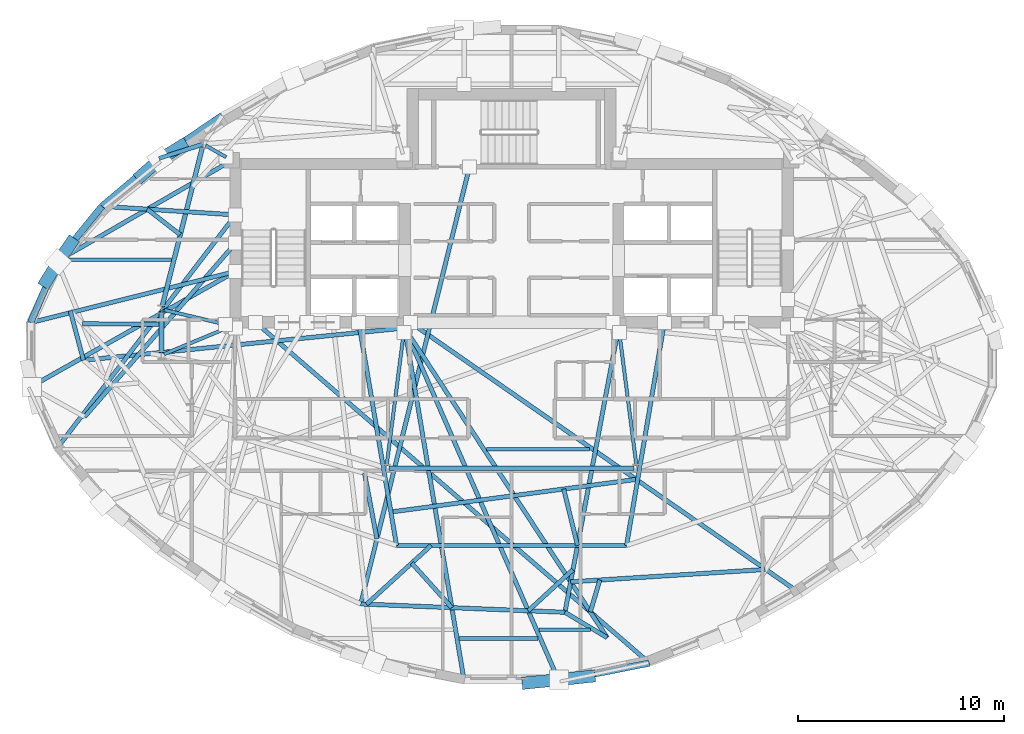
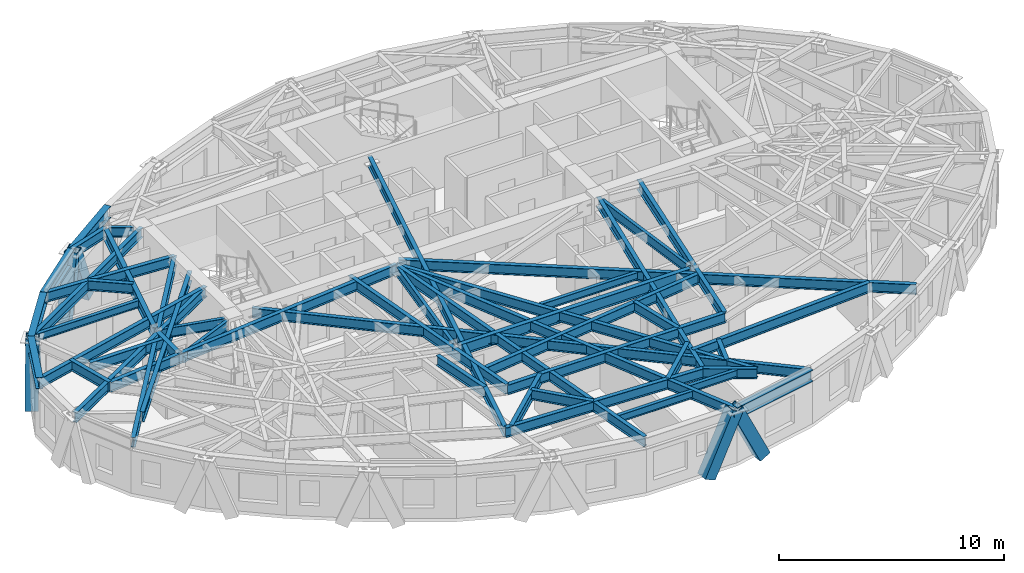
# One storey, part 2 of 14: 48 beams, 6 members.
"""IFC4 building model written with IfcOpenShell, lengths in metres."""

from ifc_helpers import new_model, si_unit, direction, frame, origin, origin_2d, place, context, subcontext, project, spatial, hollow_rectangle, i_section, extrude, material, material_profile, profile_set, type_object, element, save


model = new_model("IFC4")

# Units and contexts
model_context = context("Model", 3, precision=1e-05, world=origin(), true_north=direction((0.0, 1.0)))
body_context = subcontext(model_context, "Body", "Model", "MODEL_VIEW")
ifc_project = project(units=[si_unit("LENGTHUNIT", "METRE"), si_unit("AREAUNIT", "SQUARE_METRE"), si_unit("VOLUMEUNIT", "CUBIC_METRE"), si_unit("PLANEANGLEUNIT", "RADIAN"), si_unit("MASSUNIT", "GRAM", prefix="KILO")], contexts=[model_context])

# Site, building, storey
site_placement = place(None, origin())
site = spatial("IfcSite", under=ifc_project, at=site_placement, CompositionType="ELEMENT")
building_placement = place(site_placement, origin())
building = spatial("IfcBuilding", under=site, at=building_placement, Name="Keldmark Tower", CompositionType="ELEMENT")
storey_placement = place(building_placement, frame((0.0, 0.0, 213.14990234375)))
storey = spatial("IfcBuildingStorey", under=building, at=storey_placement, Name="L59", CompositionType="ELEMENT", Elevation=213.14990234375)

# Beams
ifc_material_1 = material(Name="Steel ASTM A992 Grade 50", Category="steel")
ifc_material_profile_1 = material_profile(ifc_material_1, i_section(OverallWidth=0.177978515625, OverallDepth=0.403076171875, WebThickness=0.007568359375, FlangeThickness=0.010986328125, at=origin_2d()), Name="W16X36")
ifc_profile_set_1 = profile_set([ifc_material_profile_1], Name="Steel ASTM A992 Grade 50")
beam_type_1 = type_object("IfcBeamType", Name="Composite Floor Joist W16X36", PredefinedType="JOIST", material=ifc_profile_set_1)
beam_1_placement = place(storey_placement, frame((-2.553466796875, -13.800048828125, 2.7685546875), z_axis=(1.0, 0.0, 0.0), x_axis=(0.0, 1.0, 0.0)))
element("IfcBeam", 1, at=beam_1_placement, inside=storey, type_object=beam_type_1, Name="L59 Composite Floor Joist J03", PredefinedType="JOIST", context=body_context, shape_type="SweptSolid", body=[
    extrude(i_section(OverallWidth=0.177978515625, OverallDepth=0.403076171875, WebThickness=0.007568359375, FlangeThickness=0.010986328125, at=origin_2d()), origin(), (0.0, 0.0, 1.0), 3.850830078125),
])
beam_2_placement = place(storey_placement, frame((1.32421875, -13.3798828125, 2.7685546875), z_axis=(1.0, 0.0, 0.0), x_axis=(0.0, 1.0, 0.0)))
element("IfcBeam", 2, at=beam_2_placement, inside=storey, type_object=beam_type_1, Name="L59 Composite Floor Joist J04", PredefinedType="JOIST", context=body_context, shape_type="SweptSolid", body=[
    extrude(i_section(OverallWidth=0.177978515625, OverallDepth=0.403076171875, WebThickness=0.007568359375, FlangeThickness=0.010986328125, at=origin_2d()), origin(), (0.0, 0.0, 1.0), 2.5068359375),
])
beam_3_placement = place(storey_placement, frame((-1.224609375, -4.60009765625, 2.7685546875), z_axis=(1.0, 0.0, 0.0), x_axis=(0.0, 1.0, 0.0)))
element("IfcBeam", 3, at=beam_3_placement, inside=storey, type_object=beam_type_1, Name="L59 Composite Floor Joist J06", PredefinedType="JOIST", context=body_context, shape_type="SweptSolid", body=[
    extrude(i_section(OverallWidth=0.177978515625, OverallDepth=0.403076171875, WebThickness=0.007568359375, FlangeThickness=0.010986328125, at=origin_2d()), origin(), (0.0, 0.0, 1.0), 5.011474609375),
])
beam_4_placement = place(storey_placement, frame((-21.77783203125, 4.6201171875, 2.7685546875), z_axis=(1.0, 0.0, 0.0), x_axis=(0.0, 1.0, 0.0)))
element("IfcBeam", 4, at=beam_4_placement, inside=storey, type_object=beam_type_1, Name="L59 Composite Floor Joist J07", PredefinedType="JOIST", context=body_context, shape_type="SweptSolid", body=[
    extrude(i_section(OverallWidth=0.177978515625, OverallDepth=0.403076171875, WebThickness=0.007568359375, FlangeThickness=0.010986328125, at=origin_2d()), origin(), (0.0, 0.0, 1.0), 5.2529296875),
])

# Members
ifc_material_2 = material(Name="Steel ASTM A572 Grade 50", Category="steel")
ifc_material_profile_2 = material_profile(ifc_material_2, hollow_rectangle(XDim=0.60009765625, YDim=0.60009765625, WallThickness=0.034912109375, at=origin_2d()), Name="BOX600X600X35")
ifc_profile_set_2 = profile_set([ifc_material_profile_2], Name="Steel ASTM A572 Grade 50")
member_type = type_object("IfcMemberType", Name="Diagrid Zone 4 Brace BOX600X600X35", PredefinedType="BRACE", material=ifc_profile_set_2)
member_1_placement = place(storey_placement, frame((-16.036376953125, 10.162841796875, -0.260009765625), z_axis=(-0.319678320867, -0.198062358981, 0.926594341189), x_axis=(0.526674190913, -0.850067230651, 0.0)))
element("IfcMember", 5, at=member_1_placement, inside=storey, type_object=member_type, Name="L59 Perimeter Diagrid Brace 06B", PredefinedType="BRACE", context=body_context, shape_type="SweptSolid", body=[
    extrude(hollow_rectangle(XDim=0.60009765625, YDim=0.60009765625, WallThickness=0.034912109375, at=origin_2d()), origin(), (0.0, 0.0, 1.0), 3.3564453125),
])
member_2_placement = place(storey_placement, frame((-17.9970703125, 8.71533203125, -0.260009765625), z_axis=(0.268917788638, 0.23740970986, 0.933445152442), x_axis=(-0.66182429005, 0.749658995211, 0.0)))
element("IfcMember", 6, at=member_2_placement, inside=storey, type_object=member_type, Name="L59 Perimeter Diagrid Brace 07A", PredefinedType="BRACE", context=body_context, shape_type="SweptSolid", body=[
    extrude(hollow_rectangle(XDim=0.60009765625, YDim=0.60009765625, WallThickness=0.034912109375, at=origin_2d()), origin(), (0.0, 0.0, 1.0), 3.331787109375),
])
member_3_placement = place(storey_placement, frame((-21.414794921875, 5.430419921875, -0.260009765625), z_axis=(-0.19192067154, -0.276052306444, 0.941786377021), x_axis=(0.821066514519, -0.570832531251, 0.0)))
element("IfcMember", 7, at=member_3_placement, inside=storey, type_object=member_type, Name="L59 Perimeter Diagrid Brace 07B", PredefinedType="BRACE", context=body_context, shape_type="SweptSolid", body=[
    extrude(hollow_rectangle(XDim=0.60009765625, YDim=0.60009765625, WallThickness=0.034912109375, at=origin_2d()), origin(), (0.0, 0.0, 1.0), 3.30224609375),
])
member_4_placement = place(storey_placement, frame((-22.634033203125, 3.557861328125, -0.260009765625), z_axis=(0.178125596536, 0.293509105881, 0.939214393322), x_axis=(-0.854886164817, 0.518815617734, 0.0)))
element("IfcMember", 8, at=member_4_placement, inside=storey, type_object=member_type, Name="L59 Perimeter Diagrid Brace 08A", PredefinedType="BRACE", context=body_context, shape_type="SweptSolid", body=[
    extrude(hollow_rectangle(XDim=0.60009765625, YDim=0.60009765625, WallThickness=0.034912109375, at=origin_2d()), origin(), (0.0, 0.0, 1.0), 3.311279296875),
])
member_5_placement = place(storey_placement, frame((0.781005859375, -15.952880859375, -0.260009765625), z_axis=(0.440546308577, 0.044061669463, 0.896647934968), x_axis=(-0.099519459283, 0.995035616058, 0.0)))
element("IfcMember", 9, at=member_5_placement, inside=storey, type_object=member_type, Name="L59 Perimeter Diagrid Brace 12B", PredefinedType="BRACE", context=body_context, shape_type="SweptSolid", body=[
    extrude(hollow_rectangle(XDim=0.60009765625, YDim=0.60009765625, WallThickness=0.034912109375, at=origin_2d()), origin(), (0.0, 0.0, 1.0), 3.468505859375),
])
member_6_placement = place(storey_placement, frame((3.79248046875, -15.641845703125, -0.260009765625), z_axis=(-0.43286743353, -0.045795607662, 0.900293589508), x_axis=(0.105208767654, -0.994450157227, 0.0)))
element("IfcMember", 10, at=member_6_placement, inside=storey, type_object=member_type, Name="L59 Perimeter Diagrid Brace 13A", PredefinedType="BRACE", context=body_context, shape_type="SweptSolid", body=[
    extrude(hollow_rectangle(XDim=0.60009765625, YDim=0.60009765625, WallThickness=0.034912109375, at=origin_2d()), origin(), (0.0, 0.0, 1.0), 3.45458984375),
])

# Beams
ifc_material_3 = material(Name="Steel ASTM A992 Grade 50", Category="steel")
ifc_material_profile_3 = material_profile(ifc_material_3, i_section(OverallWidth=0.22802734375, OverallDepth=0.60302734375, WebThickness=0.010498046875, FlangeThickness=0.014892578125, at=origin_2d()), Name="W24X68")
ifc_profile_set_3 = profile_set([ifc_material_profile_3], Name="Steel ASTM A992 Grade 50")
beam_type_2 = type_object("IfcBeamType", Name="Primary Floor Girder W24X68", PredefinedType="BEAM", material=ifc_profile_set_3)
beam_5_placement = place(storey_placement, frame((-15.030029296875, 10.10791015625, 2.668701171875), z_axis=(-0.244902129455, -0.969547805417, 0.0), x_axis=(0.969547805417, -0.244902129455, 0.0)))
element("IfcBeam", 11, at=beam_5_placement, inside=storey, type_object=beam_type_2, Name="L59 Floor Ring Girder FG-R05", PredefinedType="BEAM", context=body_context, shape_type="SweptSolid", body=[
    extrude(i_section(OverallWidth=0.22802734375, OverallDepth=0.60302734375, WebThickness=0.010498046875, FlangeThickness=0.014892578125, at=origin_2d()), origin(), (0.0, 0.0, 1.0), 8.008056640625),
])
beam_6_placement = place(storey_placement, frame((-17.025634765625, 2.068115234375, 2.668701171875), z_axis=(0.0, -1.0, 0.0), x_axis=(1.0, 0.0, 0.0)))
element("IfcBeam", 12, at=beam_6_placement, inside=storey, type_object=beam_type_2, Name="L59 Floor Ring Girder FG-R06", PredefinedType="BEAM", context=body_context, shape_type="SweptSolid", body=[
    extrude(i_section(OverallWidth=0.22802734375, OverallDepth=0.60302734375, WebThickness=0.010498046875, FlangeThickness=0.014892578125, at=origin_2d()), origin(), (0.0, 0.0, 1.0), 1.9521484375),
])
beam_7_placement = place(storey_placement, frame((-5.949462890625, -5.512939453125, 2.668701171875), z_axis=(1.0, 0.0, 0.0), x_axis=(0.0, 1.0, 0.0)))
element("IfcBeam", 13, at=beam_7_placement, inside=storey, type_object=beam_type_2, Name="L59 Floor Ring Girder FG-R09", PredefinedType="BEAM", context=body_context, shape_type="SweptSolid", body=[
    extrude(i_section(OverallWidth=0.22802734375, OverallDepth=0.60302734375, WebThickness=0.010498046875, FlangeThickness=0.014892578125, at=origin_2d()), origin(), (0.0, 0.0, 1.0), 11.89892578125),
])
ifc_material_4 = material(Name="Steel ASTM A992 Grade 50", Category="steel")
ifc_material_profile_4 = material_profile(ifc_material_4, i_section(OverallWidth=0.166015625, OverallDepth=0.529052734375, WebThickness=0.009765625, FlangeThickness=0.013671875, at=origin_2d()), Name="W21X50")
ifc_profile_set_4 = profile_set([ifc_material_profile_4], Name="Steel ASTM A992 Grade 50")
beam_type_3 = type_object("IfcBeamType", Name="Radial Tie Girder W21X50", PredefinedType="BEAM", material=ifc_profile_set_4)
beam_8_placement = place(storey_placement, frame((-14.8740234375, 10.174560546875, 2.70556640625), z_axis=(0.869238046195, -0.494393789451, 0.0), x_axis=(0.494393789451, 0.869238046195, 0.0)))
element("IfcBeam", 14, at=beam_8_placement, inside=storey, type_object=beam_type_3, Name="L59 Floor Radial Girder FG-C05", PredefinedType="BEAM", context=body_context, shape_type="SweptSolid", body=[
    extrude(i_section(OverallWidth=0.166015625, OverallDepth=0.529052734375, WebThickness=0.009765625, FlangeThickness=0.013671875, at=origin_2d()), origin(), (0.0, 0.0, 1.0), 1.145751953125),
])
beam_9_placement = place(storey_placement, frame((-16.889404296875, 2.17578125, 2.70556640625), z_axis=(0.97329039005, -0.229577474147, 0.0), x_axis=(0.229577474147, 0.97329039005, 0.0)))
element("IfcBeam", 15, at=beam_9_placement, inside=storey, type_object=beam_type_3, Name="L59 Floor Radial Girder FG-C06", PredefinedType="BEAM", context=body_context, shape_type="SweptSolid", body=[
    extrude(i_section(OverallWidth=0.166015625, OverallDepth=0.529052734375, WebThickness=0.009765625, FlangeThickness=0.013671875, at=origin_2d()), origin(), (0.0, 0.0, 1.0), 3.0595703125),
])
beam_10_placement = place(storey_placement, frame((-16.896240234375, 0.02978515625, 2.70556640625), z_axis=(0.923403331902, 0.383831065226, 0.0), x_axis=(-0.383831065226, 0.923403331902, 0.0)))
element("IfcBeam", 16, at=beam_10_placement, inside=storey, type_object=beam_type_3, Name="L59 Floor Radial Girder FG-C07", PredefinedType="BEAM", context=body_context, shape_type="SweptSolid", body=[
    extrude(i_section(OverallWidth=0.166015625, OverallDepth=0.529052734375, WebThickness=0.009765625, FlangeThickness=0.013671875, at=origin_2d()), origin(), (0.0, 0.0, 1.0), 3.249755859375),
])
for number, where, z_axis, x_axis, name in (
    (17, (-6.071533203125, -5.3740234375, 2.70556640625), (0.127625044513, 0.991822488157, 0.0), (-0.991822488157, 0.127625044513, 0.0), "L59 Floor Radial Girder FG-C09"),
    (18, (6.071533203125, -5.3740234375, 2.70556640625), (-0.127625044513, 0.991822488157, 0.0), (-0.991822488157, -0.127625044513, 0.0), "L59 Floor Radial Girder FG-C10"),
):
    element("IfcBeam", number, at=place(storey_placement, frame(where, z_axis=z_axis, x_axis=x_axis)), inside=storey, type_object=beam_type_3, Name=name, PredefinedType="BEAM", context=body_context, shape_type="SweptSolid", body=[
        extrude(i_section(OverallWidth=0.166015625, OverallDepth=0.529052734375, WebThickness=0.009765625, FlangeThickness=0.013671875, at=origin_2d()), origin(), (0.0, 0.0, 1.0), 6.509765625),
    ])
ifc_material_5 = material(Name="Steel ASTM A992 Grade 50", Category="steel")
ifc_material_profile_5 = material_profile(ifc_material_5, i_section(OverallWidth=0.2099609375, OverallDepth=0.537109375, WebThickness=0.010986328125, FlangeThickness=0.017333984375, at=origin_2d()), Name="W21X68")
ifc_profile_set_5 = profile_set([ifc_material_profile_5], Name="Steel ASTM A992 Grade 50")
beam_type_4 = type_object("IfcBeamType", Name="Radial Tie Girder W21X68", PredefinedType="BEAM", material=ifc_profile_set_5)
beam_11_placement = place(storey_placement, frame((-5.199951171875, 1.300048828125, 2.70166015625), z_axis=(-0.994997839302, -0.099896445306, 0.0), x_axis=(0.099896445306, -0.994997839302, 0.0)))
element("IfcBeam", 19, at=beam_11_placement, inside=storey, type_object=beam_type_4, Name="L59 Sub-Ring Step Girder STP1-M07", PredefinedType="BEAM", context=body_context, shape_type="SweptSolid", body=[
    extrude(i_section(OverallWidth=0.2099609375, OverallDepth=0.537109375, WebThickness=0.010986328125, FlangeThickness=0.017333984375, at=origin_2d()), origin(), (0.0, 0.0, 1.0), 15.695068359375),
])
beam_12_placement = place(storey_placement, frame((-7.43212890625, 1.574951171875, 2.70166015625), z_axis=(0.167387846975, -0.985891124154, 0.0), x_axis=(0.985891124154, 0.167387846975, 0.0)))
element("IfcBeam", 20, at=beam_12_placement, inside=storey, type_object=beam_type_4, Name="L59 Sub-Ring Step Girder STP1-M09", PredefinedType="BEAM", context=body_context, shape_type="SweptSolid", body=[
    extrude(i_section(OverallWidth=0.2099609375, OverallDepth=0.537109375, WebThickness=0.010986328125, FlangeThickness=0.017333984375, at=origin_2d()), origin(), (0.0, 0.0, 1.0), 11.004638671875),
])
beam_13_placement = place(storey_placement, frame((-5.866455078125, -7.64697265625, 2.70166015625), z_axis=(0.991266770725, 0.13187186681, 0.0), x_axis=(-0.13187186681, 0.991266770725, 0.0)))
element("IfcBeam", 21, at=beam_13_placement, inside=storey, type_object=beam_type_4, Name="L59 Framing Pin Header PH-004", PredefinedType="BEAM", context=body_context, shape_type="SweptSolid", body=[
    extrude(i_section(OverallWidth=0.2099609375, OverallDepth=0.537109375, WebThickness=0.010986328125, FlangeThickness=0.017333984375, at=origin_2d()), origin(), (0.0, 0.0, 1.0), 12.109619140625),
])
beam_14_placement = place(storey_placement, frame((7.43212890625, 1.574951171875, 2.70166015625), z_axis=(-0.167387846975, -0.985891124154, 0.0), x_axis=(0.985891124154, -0.167387846975, 0.0)))
element("IfcBeam", 22, at=beam_14_placement, inside=storey, type_object=beam_type_4, Name="L59 Sub-Ring Step Girder STP1-M10", PredefinedType="BEAM", context=body_context, shape_type="SweptSolid", body=[
    extrude(i_section(OverallWidth=0.2099609375, OverallDepth=0.537109375, WebThickness=0.010986328125, FlangeThickness=0.017333984375, at=origin_2d()), origin(), (0.0, 0.0, 1.0), 11.004638671875),
])
beam_15_placement = place(storey_placement, frame((-5.590087890625, -9.2744140625, 2.70166015625), z_axis=(1.0, 0.0, 0.0), x_axis=(0.0, 1.0, 0.0)))
element("IfcBeam", 23, at=beam_15_placement, inside=storey, type_object=beam_type_4, Name="L59 Perimeter Collector Ring Beam CRG1-M09", PredefinedType="BEAM", context=body_context, shape_type="SweptSolid", body=[
    extrude(i_section(OverallWidth=0.2099609375, OverallDepth=0.537109375, WebThickness=0.010986328125, FlangeThickness=0.017333984375, at=origin_2d()), origin(), (0.0, 0.0, 1.0), 11.18017578125),
])
beam_16_placement = place(storey_placement, frame((-7.148681640625, -5.763916015625, 2.70166015625), z_axis=(0.185722935277, -0.982602153118, 0.0), x_axis=(0.982602153118, 0.185722935277, 0.0)))
element("IfcBeam", 24, at=beam_16_placement, inside=storey, type_object=beam_type_4, Name="L59 Framing Pin Header PH-009", PredefinedType="BEAM", context=body_context, shape_type="SweptSolid", body=[
    extrude(i_section(OverallWidth=0.2099609375, OverallDepth=0.537109375, WebThickness=0.010986328125, FlangeThickness=0.017333984375, at=origin_2d()), origin(), (0.0, 0.0, 1.0), 3.246826171875),
])
beam_17_placement = place(storey_placement, frame((-2.04296875, 9.139892578125, 2.70166015625), z_axis=(-0.241483944794, -0.970404814707, 0.0), x_axis=(0.970404814707, -0.241483944794, 0.0)))
element("IfcBeam", 25, at=beam_17_placement, inside=storey, type_object=beam_type_4, Name="L59 Sub-Ring Step Girder STP2-M09", PredefinedType="BEAM", context=body_context, shape_type="SweptSolid", body=[
    extrude(i_section(OverallWidth=0.2099609375, OverallDepth=0.537109375, WebThickness=0.010986328125, FlangeThickness=0.017333984375, at=origin_2d()), origin(), (0.0, 0.0, 1.0), 21.906494140625),
])
beam_18_placement = place(storey_placement, frame((2.536376953125, -6.529052734375, 2.70166015625), z_axis=(0.237878707543, -0.971294867946, 0.0), x_axis=(0.971294867946, 0.237878707543, 0.0)))
element("IfcBeam", 26, at=beam_18_placement, inside=storey, type_object=beam_type_4, Name="L59 Framing Pin Header PH-010", PredefinedType="BEAM", context=body_context, shape_type="SweptSolid", body=[
    extrude(i_section(OverallWidth=0.2099609375, OverallDepth=0.537109375, WebThickness=0.010986328125, FlangeThickness=0.017333984375, at=origin_2d()), origin(), (0.0, 0.0, 1.0), 2.826416015625),
])
beam_19_placement = place(storey_placement, frame((5.199951171875, 1.300048828125, 2.70166015625), z_axis=(-0.185056552918, -0.982727872924, 0.0), x_axis=(0.982727872924, -0.185056552918, 0.0)))
element("IfcBeam", 27, at=beam_19_placement, inside=storey, type_object=beam_type_4, Name="L59 Sub-Ring Step Girder STP2-M10", PredefinedType="BEAM", context=body_context, shape_type="SweptSolid", body=[
    extrude(i_section(OverallWidth=0.2099609375, OverallDepth=0.537109375, WebThickness=0.010986328125, FlangeThickness=0.017333984375, at=origin_2d()), origin(), (0.0, 0.0, 1.0), 14.0673828125),
])
beam_20_placement = place(storey_placement, frame((-7.3330078125, -12.1181640625, 2.70166015625), z_axis=(0.999164126029, -0.040878469358, 0.0), x_axis=(0.040878469358, 0.999164126029, 0.0)))
element("IfcBeam", 28, at=beam_20_placement, inside=storey, type_object=beam_type_4, Name="L59 Perimeter Collector Ring Beam CRG2-M09", PredefinedType="BEAM", context=body_context, shape_type="SweptSolid", body=[
    extrude(i_section(OverallWidth=0.2099609375, OverallDepth=0.537109375, WebThickness=0.010986328125, FlangeThickness=0.017333984375, at=origin_2d()), origin(), (0.0, 0.0, 1.0), 9.93798828125),
])
beam_21_placement = place(storey_placement, frame((-14.995849609375, 10.24365234375, 2.70166015625), z_axis=(-0.951041205771, -0.30906411135, 0.0), x_axis=(0.30906411135, -0.951041205771, 0.0)))
element("IfcBeam", 29, at=beam_21_placement, inside=storey, type_object=beam_type_4, Name="L59 Perimeter Column Bracket RT-13", PredefinedType="BEAM", context=body_context, shape_type="SweptSolid", body=[
    extrude(i_section(OverallWidth=0.2099609375, OverallDepth=0.537109375, WebThickness=0.010986328125, FlangeThickness=0.017333984375, at=origin_2d()), origin(), (0.0, 0.0, 1.0), 2.262451171875),
])
beam_22_placement = place(storey_placement, frame((-20.81640625, -0.267822265625, 2.70166015625), z_axis=(-0.257882183157, 0.966176370861, 0.0), x_axis=(-0.966176370861, -0.257882183157, 0.0)))
element("IfcBeam", 30, at=beam_22_placement, inside=storey, type_object=beam_type_4, Name="L59 Local Collector Chord RT-15C", PredefinedType="BEAM", context=body_context, shape_type="SweptSolid", body=[
    extrude(i_section(OverallWidth=0.2099609375, OverallDepth=0.537109375, WebThickness=0.010986328125, FlangeThickness=0.017333984375, at=origin_2d()), origin(), (0.0, 0.0, 1.0), 2.49169921875),
])
beam_23_placement = place(storey_placement, frame((-17.025634765625, 1.482421875, 2.70166015625), z_axis=(-0.999983902053, 0.005674119686, 0.0), x_axis=(-0.005674119686, -0.999983902053, 0.0)))
element("IfcBeam", 31, at=beam_23_placement, inside=storey, type_object=beam_type_4, Name="L59 Framing Pin Header PH-019", PredefinedType="BEAM", context=body_context, shape_type="SweptSolid", body=[
    extrude(i_section(OverallWidth=0.2099609375, OverallDepth=0.537109375, WebThickness=0.010986328125, FlangeThickness=0.017333984375, at=origin_2d()), origin(), (0.0, 0.0, 1.0), 3.829345703125),
])
beam_24_placement = place(storey_placement, frame((-13.425048828125, 4.050048828125, 2.70166015625), z_axis=(-0.970181660522, -0.24237892975, 0.0), x_axis=(0.24237892975, -0.970181660522, 0.0)))
element("IfcBeam", 32, at=beam_24_placement, inside=storey, type_object=beam_type_4, Name="L59 Perimeter Radial Tie Girder RT-16", PredefinedType="BEAM", context=body_context, shape_type="SweptSolid", body=[
    extrude(i_section(OverallWidth=0.2099609375, OverallDepth=0.537109375, WebThickness=0.010986328125, FlangeThickness=0.017333984375, at=origin_2d()), origin(), (0.0, 0.0, 1.0), 10.26513671875),
])
beam_25_placement = place(storey_placement, frame((-13.425048828125, 4.050048828125, 2.70166015625), z_axis=(-0.871196553934, -0.490934378929, 0.0), x_axis=(0.490934378929, -0.871196553934, 0.0)))
element("IfcBeam", 33, at=beam_25_placement, inside=storey, type_object=beam_type_4, Name="L59 Perimeter Radial Tie Girder RT-17", PredefinedType="BEAM", context=body_context, shape_type="SweptSolid", body=[
    extrude(i_section(OverallWidth=0.2099609375, OverallDepth=0.537109375, WebThickness=0.010986328125, FlangeThickness=0.017333984375, at=origin_2d()), origin(), (0.0, 0.0, 1.0), 11.431396484375),
])
beam_26_placement = place(storey_placement, frame((-13.425048828125, 5.425048828125, 2.70166015625), z_axis=(-0.655883090094, -0.754862485575, 0.0), x_axis=(0.754862485575, -0.655883090094, 0.0)))
element("IfcBeam", 34, at=beam_26_placement, inside=storey, type_object=beam_type_4, Name="L59 Intermediate Radial Step Girder RT-18M", PredefinedType="BEAM", context=body_context, shape_type="SweptSolid", body=[
    extrude(i_section(OverallWidth=0.2099609375, OverallDepth=0.537109375, WebThickness=0.010986328125, FlangeThickness=0.017333984375, at=origin_2d()), origin(), (0.0, 0.0, 1.0), 11.18603515625),
])
beam_27_placement = place(storey_placement, frame((-13.425048828125, 6.800048828125, 2.70166015625), z_axis=(-0.607417752477, -0.794382574063, 0.0), x_axis=(0.794382574063, -0.607417752477, 0.0)))
element("IfcBeam", 35, at=beam_27_placement, inside=storey, type_object=beam_type_4, Name="L59 Perimeter Radial Tie Girder RT-18", PredefinedType="BEAM", context=body_context, shape_type="SweptSolid", body=[
    extrude(i_section(OverallWidth=0.2099609375, OverallDepth=0.537109375, WebThickness=0.010986328125, FlangeThickness=0.017333984375, at=origin_2d()), origin(), (0.0, 0.0, 1.0), 14.2841796875),
])
beam_28_placement = place(storey_placement, frame((-3.9130859375, -9.2744140625, 2.70166015625), z_axis=(-0.739116053461, -0.673578102017, 0.0), x_axis=(0.673578102017, -0.739116053461, 0.0)))
element("IfcBeam", 36, at=beam_28_placement, inside=storey, type_object=beam_type_4, Name="L59 Framing Pin Header PH-025", PredefinedType="BEAM", context=body_context, shape_type="SweptSolid", body=[
    extrude(i_section(OverallWidth=0.2099609375, OverallDepth=0.537109375, WebThickness=0.010986328125, FlangeThickness=0.017333984375, at=origin_2d()), origin(), (0.0, 0.0, 1.0), 4.2392578125),
])
beam_29_placement = place(storey_placement, frame((-4.85302734375, -10.131103515625, 2.70166015625), z_axis=(0.66846025114, -0.743747869002, 0.0), x_axis=(0.743747869002, 0.66846025114, 0.0)))
element("IfcBeam", 37, at=beam_29_placement, inside=storey, type_object=beam_type_4, Name="L59 Framing Pin Header PH-026", PredefinedType="BEAM", context=body_context, shape_type="SweptSolid", body=[
    extrude(i_section(OverallWidth=0.2099609375, OverallDepth=0.537109375, WebThickness=0.010986328125, FlangeThickness=0.017333984375, at=origin_2d()), origin(), (0.0, 0.0, 1.0), 2.915283203125),
])
beam_30_placement = place(storey_placement, frame((-5.199951171875, 1.300048828125, 2.70166015625), z_axis=(0.166468859904, -0.986046712221, 0.0), x_axis=(0.986046712221, 0.166468859904, 0.0)))
element("IfcBeam", 38, at=beam_30_placement, inside=storey, type_object=beam_type_4, Name="L59 Perimeter Radial Tie Girder RT-24", PredefinedType="BEAM", context=body_context, shape_type="SweptSolid", body=[
    extrude(i_section(OverallWidth=0.2099609375, OverallDepth=0.537109375, WebThickness=0.010986328125, FlangeThickness=0.017333984375, at=origin_2d()), origin(), (0.0, 0.0, 1.0), 17.402587890625),
])
beam_31_placement = place(storey_placement, frame((2.9873046875, -10.45068359375, 2.70166015625), z_axis=(-0.735907957557, -0.677081588883, 0.0), x_axis=(0.677081588883, -0.735907957557, 0.0)))
element("IfcBeam", 39, at=beam_31_placement, inside=storey, type_object=beam_type_4, Name="L59 Framing Pin Header PH-027", PredefinedType="BEAM", context=body_context, shape_type="SweptSolid", body=[
    extrude(i_section(OverallWidth=0.2099609375, OverallDepth=0.537109375, WebThickness=0.010986328125, FlangeThickness=0.017333984375, at=origin_2d()), origin(), (0.0, 0.0, 1.0), 2.954833984375),
])
beam_32_placement = place(storey_placement, frame((-5.199951171875, 1.300048828125, 2.70166015625), z_axis=(0.400620507378, -0.916244077235, 0.0), x_axis=(0.916244077235, 0.400620507378, 0.0)))
element("IfcBeam", 40, at=beam_32_placement, inside=storey, type_object=beam_type_4, Name="L59 Perimeter Radial Tie Girder RT-25", PredefinedType="BEAM", context=body_context, shape_type="SweptSolid", body=[
    extrude(i_section(OverallWidth=0.2099609375, OverallDepth=0.537109375, WebThickness=0.010986328125, FlangeThickness=0.017333984375, at=origin_2d()), origin(), (0.0, 0.0, 1.0), 18.728271484375),
])
beam_33_placement = place(storey_placement, frame((12.334716796875, -10.443603515625, 2.70166015625), z_axis=(-0.997992081159, -0.063338818624, 0.0), x_axis=(0.063338818624, -0.997992081159, 0.0)))
element("IfcBeam", 41, at=beam_33_placement, inside=storey, type_object=beam_type_4, Name="L59 Framing Pin Header PH-028", PredefinedType="BEAM", context=body_context, shape_type="SweptSolid", body=[
    extrude(i_section(OverallWidth=0.2099609375, OverallDepth=0.537109375, WebThickness=0.010986328125, FlangeThickness=0.017333984375, at=origin_2d()), origin(), (0.0, 0.0, 1.0), 9.478271484375),
])
beam_34_placement = place(storey_placement, frame((-5.199951171875, 1.300048828125, 2.70166015625), z_axis=(0.54745553407, -0.836834773546, 0.0), x_axis=(0.836834773546, 0.54745553407, 0.0)))
element("IfcBeam", 42, at=beam_34_placement, inside=storey, type_object=beam_type_4, Name="L59 Intermediate Radial Step Girder RT-26M", PredefinedType="BEAM", context=body_context, shape_type="SweptSolid", body=[
    extrude(i_section(OverallWidth=0.2099609375, OverallDepth=0.537109375, WebThickness=0.010986328125, FlangeThickness=0.017333984375, at=origin_2d()), origin(), (0.0, 0.0, 1.0), 17.992919921875),
])
beam_35_placement = place(storey_placement, frame((2.5966796875, -12.5244140625, 2.70166015625), z_axis=(0.857411972878, -0.514630652765, 0.0), x_axis=(0.514630652765, 0.857411972878, 0.0)))
element("IfcBeam", 43, at=beam_35_placement, inside=storey, type_object=beam_type_4, Name="L59 Local Collector Chord RT-26C", PredefinedType="BEAM", context=body_context, shape_type="SweptSolid", body=[
    extrude(i_section(OverallWidth=0.2099609375, OverallDepth=0.537109375, WebThickness=0.010986328125, FlangeThickness=0.017333984375, at=origin_2d()), origin(), (0.0, 0.0, 1.0), 2.395263671875),
])
beam_36_placement = place(storey_placement, frame((4.29443359375, -10.953857421875, 2.70166015625), z_axis=(-0.286295977808, -0.958141228155, 0.0), x_axis=(0.958141228155, -0.286295977808, 0.0)))
element("IfcBeam", 44, at=beam_36_placement, inside=storey, type_object=beam_type_4, Name="L59 Framing Pin Header PH-029", PredefinedType="BEAM", context=body_context, shape_type="SweptSolid", body=[
    extrude(i_section(OverallWidth=0.2099609375, OverallDepth=0.537109375, WebThickness=0.010986328125, FlangeThickness=0.017333984375, at=origin_2d()), origin(), (0.0, 0.0, 1.0), 1.61865234375),
])
beam_37_placement = place(storey_placement, frame((-12.4462890625, 1.574951171875, 2.70166015625), z_axis=(0.756319590876, -0.654202320737, 0.0), x_axis=(0.654202320737, 0.756319590876, 0.0)))
element("IfcBeam", 45, at=beam_37_placement, inside=storey, type_object=beam_type_4, Name="L59 Perimeter Radial Tie Girder RT-26", PredefinedType="BEAM", context=body_context, shape_type="SweptSolid", body=[
    extrude(i_section(OverallWidth=0.2099609375, OverallDepth=0.537109375, WebThickness=0.010986328125, FlangeThickness=0.017333984375, at=origin_2d()), origin(), (0.0, 0.0, 1.0), 25.32080078125),
])
beam_38_placement = place(storey_placement, frame((-4.925048828125, 1.574951171875, 2.70166015625), z_axis=(0.821125168667, -0.570748155829, 0.0), x_axis=(0.570748155829, 0.821125168667, 0.0)))
element("IfcBeam", 46, at=beam_38_placement, inside=storey, type_object=beam_type_4, Name="L59 Perimeter Radial Tie Girder RT-28", PredefinedType="BEAM", context=body_context, shape_type="SweptSolid", body=[
    extrude(i_section(OverallWidth=0.2099609375, OverallDepth=0.537109375, WebThickness=0.010986328125, FlangeThickness=0.017333984375, at=origin_2d()), origin(), (0.0, 0.0, 1.0), 23.135986328125),
])
beam_39_placement = place(storey_placement, frame((-13.60009765625, 9.449951171875, 2.70166015625), z_axis=(-0.866267577437, -0.499580308141, 0.0), x_axis=(0.499580308141, -0.866267577437, 0.0)))
element("IfcBeam", 47, at=beam_39_placement, inside=storey, type_object=beam_type_4, Name="L59 Straddling Support Chord RT-14RB", PredefinedType="BEAM", context=body_context, shape_type="SweptSolid", body=[
    extrude(i_section(OverallWidth=0.2099609375, OverallDepth=0.537109375, WebThickness=0.010986328125, FlangeThickness=0.017333984375, at=origin_2d()), origin(), (0.0, 0.0, 1.0), 9.81396484375),
])
beam_40_placement = place(storey_placement, frame((-16.10888671875, 5.837646484375, 2.70166015625), z_axis=(-0.791247930799, 0.611495471779, 0.0), x_axis=(-0.611495471779, -0.791247930799, 0.0)))
element("IfcBeam", 48, at=beam_40_placement, inside=storey, type_object=beam_type_4, Name="L59 Framing Pin Header PH-035", PredefinedType="BEAM", context=body_context, shape_type="SweptSolid", body=[
    extrude(i_section(OverallWidth=0.2099609375, OverallDepth=0.537109375, WebThickness=0.010986328125, FlangeThickness=0.017333984375, at=origin_2d()), origin(), (0.0, 0.0, 1.0), 2.02783203125),
])
beam_41_placement = place(storey_placement, frame((-13.425048828125, 6.800048828125, 2.70166015625), z_axis=(-0.997909880866, 0.064620969271, 0.0), x_axis=(-0.064620969271, -0.997909880866, 0.0)))
element("IfcBeam", 49, at=beam_41_placement, inside=storey, type_object=beam_type_4, Name="L59 Perimeter Radial Tie Girder RT-14R", PredefinedType="BEAM", context=body_context, shape_type="SweptSolid", body=[
    extrude(i_section(OverallWidth=0.2099609375, OverallDepth=0.537109375, WebThickness=0.010986328125, FlangeThickness=0.017333984375, at=origin_2d()), origin(), (0.0, 0.0, 1.0), 6.505859375),
])
ifc_material_6 = material(Name="Steel ASTM A992 Grade 50", Category="steel")
ifc_material_profile_6 = material_profile(ifc_material_6, i_section(OverallWidth=0.326904296875, OverallDepth=0.6220703125, WebThickness=0.015380859375, FlangeThickness=0.0244140625, at=origin_2d()), Name="W24X131")
ifc_profile_set_6 = profile_set([ifc_material_profile_6], Name="Steel ASTM A992 Grade 50")
beam_type_5 = type_object("IfcBeamType", Name="Spandrel Ring Beam W24X131", PredefinedType="SPANDREL", material=ifc_profile_set_6)
beam_42_placement = place(storey_placement, frame((-14.072509765625, 11.6298828125, 2.6591796875), z_axis=(-0.827616407823, -0.56129411319, 0.0), x_axis=(0.56129411319, -0.827616407823, 0.0)))
element("IfcBeam", 50, at=beam_42_placement, inside=storey, type_object=beam_type_5, Name="L59 Perimeter Spandrel Ring Beam SRB-12", PredefinedType="SPANDREL", context=body_context, shape_type="SweptSolid", body=[
    extrude(i_section(OverallWidth=0.326904296875, OverallDepth=0.6220703125, WebThickness=0.015380859375, FlangeThickness=0.0244140625, at=origin_2d()), origin(), (0.0, 0.0, 1.0), 3.71533203125),
])
beam_43_placement = place(storey_placement, frame((-17.1474609375, 9.54443359375, 2.6591796875), z_axis=(-0.766063904081, -0.642764416302, 0.0), x_axis=(0.642764416302, -0.766063904081, 0.0)))
element("IfcBeam", 51, at=beam_43_placement, inside=storey, type_object=beam_type_5, Name="L59 Perimeter Spandrel Ring Beam SRB-13", PredefinedType="SPANDREL", context=body_context, shape_type="SweptSolid", body=[
    extrude(i_section(OverallWidth=0.326904296875, OverallDepth=0.6220703125, WebThickness=0.015380859375, FlangeThickness=0.0244140625, at=origin_2d()), origin(), (0.0, 0.0, 1.0), 3.615478515625),
])
beam_44_placement = place(storey_placement, frame((-19.917236328125, 7.220458984375, 2.6591796875), z_axis=(-0.632725461905, -0.774376194015, 0.0), x_axis=(0.774376194015, -0.632725461905, 0.0)))
element("IfcBeam", 52, at=beam_44_placement, inside=storey, type_object=beam_type_5, Name="L59 Perimeter Spandrel Ring Beam SRB-14", PredefinedType="SPANDREL", context=body_context, shape_type="SweptSolid", body=[
    extrude(i_section(OverallWidth=0.326904296875, OverallDepth=0.6220703125, WebThickness=0.015380859375, FlangeThickness=0.0244140625, at=origin_2d()), origin(), (0.0, 0.0, 1.0), 3.4521484375),
])
beam_45_placement = place(storey_placement, frame((-22.1015625, 4.547119140625, 2.6591796875), z_axis=(-0.394735370712, -0.918794855835, 0.0), x_axis=(0.918794855835, -0.394735370712, 0.0)))
element("IfcBeam", 53, at=beam_45_placement, inside=storey, type_object=beam_type_5, Name="L59 Perimeter Spandrel Ring Beam SRB-15", PredefinedType="SPANDREL", context=body_context, shape_type="SweptSolid", body=[
    extrude(i_section(OverallWidth=0.326904296875, OverallDepth=0.6220703125, WebThickness=0.015380859375, FlangeThickness=0.0244140625, at=origin_2d()), origin(), (0.0, 0.0, 1.0), 3.2490234375),
])
beam_46_placement = place(storey_placement, frame((2.302978515625, -15.859619140625, 2.6591796875), z_axis=(0.98103428966, 0.193834265574, 0.0), x_axis=(-0.193834265574, 0.98103428966, 0.0)))
element("IfcBeam", 54, at=beam_46_placement, inside=storey, type_object=beam_type_5, Name="L59 Perimeter Spandrel Ring Beam SRB-25", PredefinedType="SPANDREL", context=body_context, shape_type="SweptSolid", body=[
    extrude(i_section(OverallWidth=0.326904296875, OverallDepth=0.6220703125, WebThickness=0.015380859375, FlangeThickness=0.0244140625, at=origin_2d()), origin(), (0.0, 0.0, 1.0), 4.486572265625),
])

save(model, "model.ifc")
